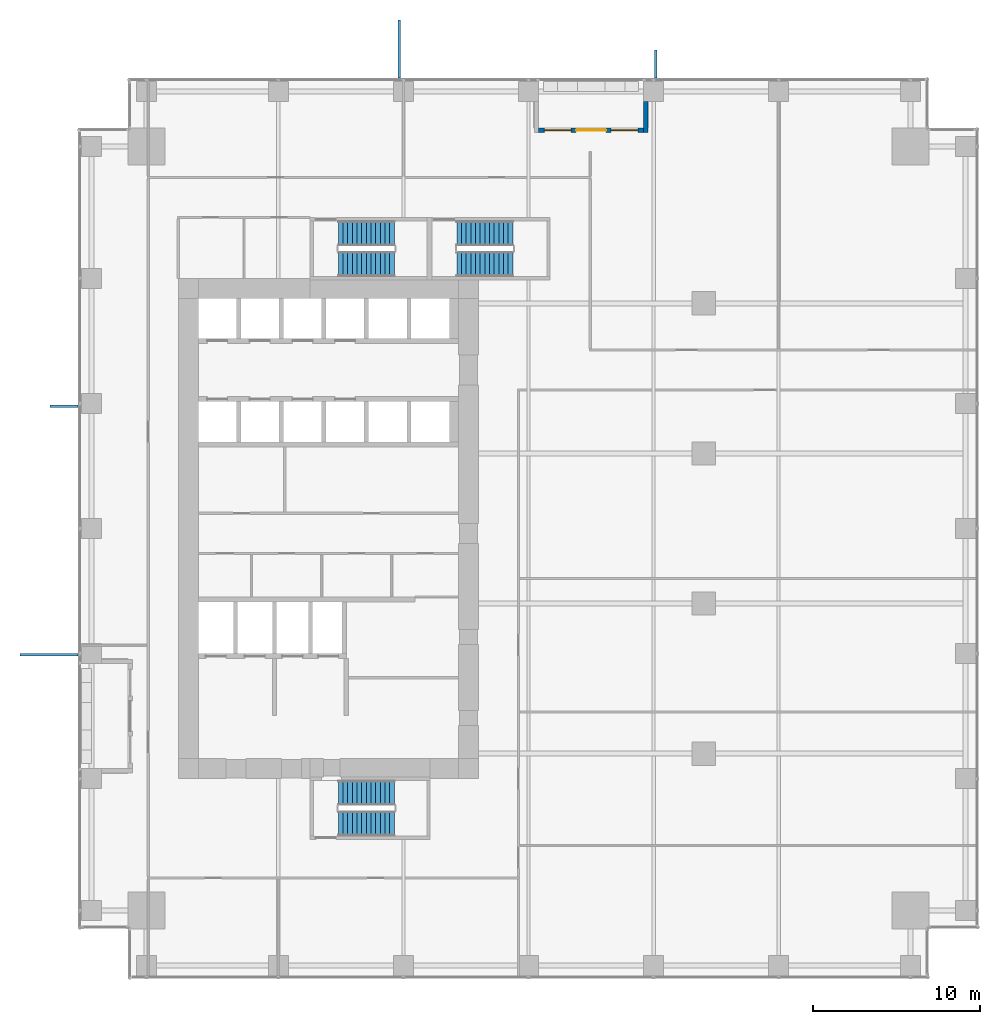
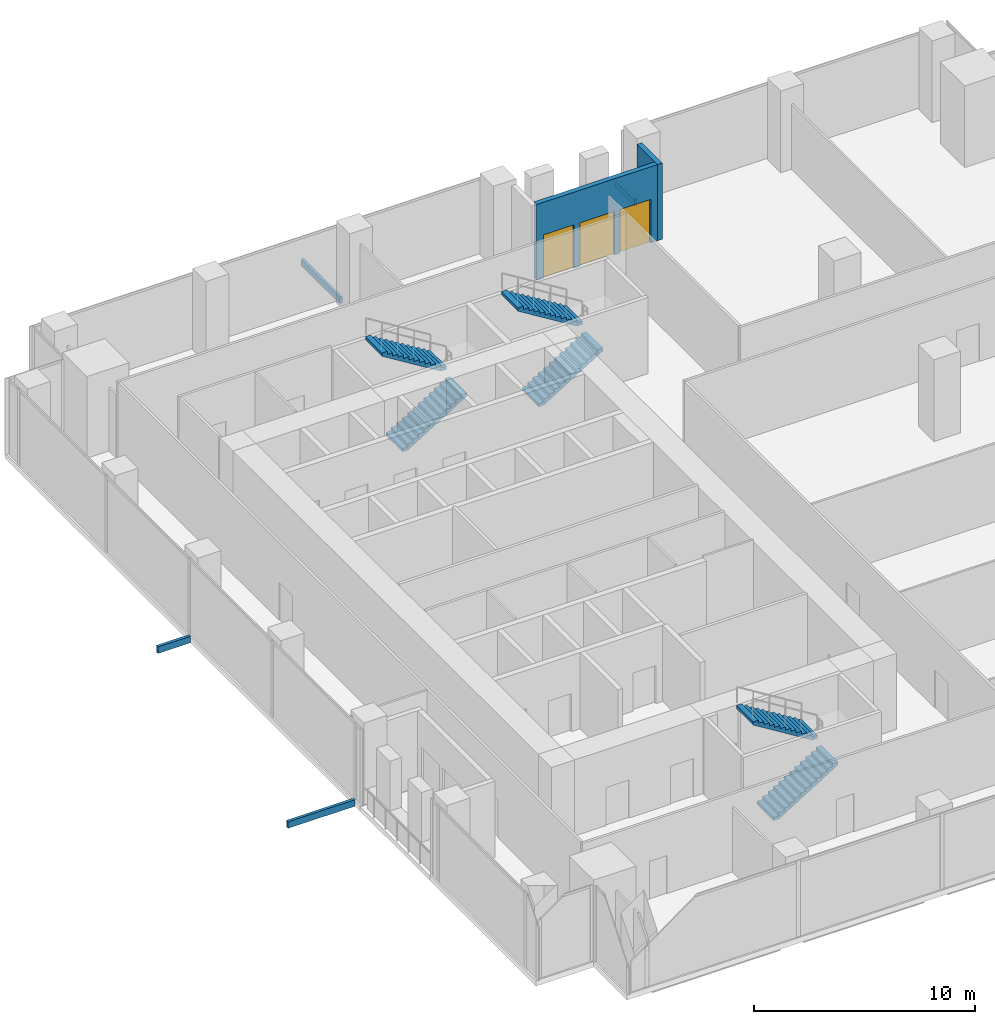
# One storey, part 30 of 33: 6 stair flights, 4 discrete accessories, 2 walls, 2 windows, 1 door, 3 openings, 3 elements without a shape of their own.
"""IFC4 building model written with IfcOpenShell, lengths in metres."""

from ifc_helpers import new_model, si_unit, direction, frame, frame_2d, origin, origin_2d, place, context, subcontext, project, spatial, polyline, rectangle, outline, extrude, source, transform, mapped, material, layer, layer_set, type_object, element, fill, aggregate, save


model = new_model("IFC4")

# Units and contexts
model_context = context("Model", 3, precision=1e-05, world=origin(), true_north=direction((0.0, 1.0)))
body_context = subcontext(model_context, "Body", "Model", "MODEL_VIEW")
ifc_project = project(units=[si_unit("LENGTHUNIT", "METRE"), si_unit("AREAUNIT", "SQUARE_METRE"), si_unit("VOLUMEUNIT", "CUBIC_METRE"), si_unit("PLANEANGLEUNIT", "RADIAN"), si_unit("MASSUNIT", "GRAM", prefix="KILO")], contexts=[model_context])

# Site, building, storey
site_placement = place(None, origin())
site = spatial("IfcSite", under=ifc_project, at=site_placement, CompositionType="ELEMENT")
building_placement = place(site_placement, origin())
building = spatial("IfcBuilding", under=site, at=building_placement, Name="Khomas Fold Tower", CompositionType="ELEMENT")
storey_placement = place(building_placement, frame((0.0, 0.0, 91.5)))
storey = spatial("IfcBuildingStorey", under=building, at=storey_placement, Name="L19", CompositionType="ELEMENT", Elevation=91.5)

# Wall, openings, windows, door
ifc_material_1 = material(Name="Natural stone", Category="masonry")
ifc_layer_1 = layer(ifc_material_1, 0.0400390625)
ifc_material_2 = material(Name="Mineral wool insulation", Category="insulation")
ifc_layer_2 = layer(ifc_material_2, 0.10009765625)
ifc_material_3 = material(Name="Masonry", Category="masonry")
ifc_layer_3 = layer(ifc_material_3, 0.110107421875)
ifc_layer_set = layer_set([ifc_layer_1, ifc_layer_2, ifc_layer_3], Name="Stone-faced insulated masonry")
wall_type = type_object("IfcWallType", Name="BL-Balcony wall", PredefinedType="SOLIDWALL", material=ifc_layer_set)
shared_shape_1 = source(origin(), body_context, "Body", "SweptSolid", [
    extrude(rectangle(XDim=6.2998046875, YDim=0.25, at=frame_2d((3.14990234375, 0.0))), origin(), (0.0, 0.0, 1.0), 4.199951171875),
])
wall_1_placement = place(storey_placement, frame((27.60009765625, 50.875, 0.0), z_axis=(0.0, 0.0, 1.0), x_axis=(1.0, 0.0, 0.0)))
wall_1 = element("IfcWall", 1, at=wall_1_placement, inside=storey, type_object=wall_type, Name="Balcony wall BAL-L19-N3", PredefinedType="SOLIDWALL", context=body_context, shape_type="MappedRepresentation", body=[
    mapped(shared_shape_1, transform((0.0, 0.0, 0.0))),
])
shared_shape_2 = source(origin(), body_context, "Body", "SweptSolid", [
    extrude(rectangle(XDim=1.60009765625, YDim=2.39990234375, at=frame_2d((0.800048828125, 1.199951171875))), frame((0.0, 0.135009765625, 0.0), z_axis=(0.0, -1.0, 0.0), x_axis=(1.0, 0.0, 0.0)), (0.0, 0.0, 1.0), 0.27001953125),
])
opening_1_placement = place(wall_1_placement, frame((0.35009765625, 0.0, 0.0)))
opening_1 = element("IfcOpeningElement", 2, at=opening_1_placement, cuts=wall_1, Name="Opening BL-W1", PredefinedType="OPENING", context=body_context, shape_type="MappedRepresentation", body=[
    mapped(shared_shape_2, transform((0.0, 0.0, 0.0))),
])
opening_2_placement = place(wall_1_placement, frame((4.35009765625, 0.0, 0.0)))
opening_2 = element("IfcOpeningElement", 3, at=opening_2_placement, cuts=wall_1, Name="Opening BL-W1", PredefinedType="OPENING", context=body_context, shape_type="MappedRepresentation", body=[
    mapped(shared_shape_2, transform((0.0, 0.0, 0.0))),
])
shared_shape_3 = source(origin(), body_context, "Body", "SweptSolid", [
    extrude(rectangle(XDim=1.800048828125, YDim=2.39990234375, at=frame_2d((0.89990234375, 1.199951171875))), frame((0.0, 0.135009765625, 0.0), z_axis=(0.0, -1.0, 0.0), x_axis=(1.0, 0.0, 0.0)), (0.0, 0.0, 1.0), 0.27001953125),
])
opening_3_placement = place(wall_1_placement, frame((2.25, 0.0, 0.0)))
opening_3 = element("IfcOpeningElement", 4, at=opening_3_placement, cuts=wall_1, Name="Opening BD192", PredefinedType="OPENING", context=body_context, shape_type="MappedRepresentation", body=[
    mapped(shared_shape_3, transform((0.0, 0.0, 0.0))),
])
ifc_material_4 = material(Name="Aluminium framed double glazing", Category="aluminium")
window_type = type_object("IfcWindowType", Name="BL-Fixed glazing 1600 x 2400", PartitioningType="SINGLE_PANEL", PredefinedType="WINDOW", material=ifc_material_4)
shared_shape_4 = source(origin(), body_context, "Body", "SweptSolid", [
    extrude(rectangle(XDim=1.60009765625, YDim=2.39990234375, at=frame_2d((0.800048828125, 1.199951171875))), frame((0.0, 0.030029296875, 0.0), z_axis=(0.0, -1.0, 0.0), x_axis=(1.0, 0.0, 0.0)), (0.0, 0.0, 1.0), 0.06005859375),
])
window_1_placement = place(opening_1_placement, origin())
window_1 = element("IfcWindow", 5, at=window_1_placement, inside=storey, type_object=window_type, Name="Balcony glazing BAL-L19-N3-1", OverallHeight=2.39990234375, OverallWidth=1.60009765625, PartitioningType="SINGLE_PANEL", PredefinedType="WINDOW", context=body_context, shape_type="MappedRepresentation", body=[
    mapped(shared_shape_4, transform((0.0, 0.0, 0.0))),
])
fill(opening_1, window_1)
window_2_placement = place(opening_2_placement, origin())
window_2 = element("IfcWindow", 6, at=window_2_placement, inside=storey, type_object=window_type, Name="Balcony glazing BAL-L19-N3-2", OverallHeight=2.39990234375, OverallWidth=1.60009765625, PartitioningType="SINGLE_PANEL", PredefinedType="WINDOW", context=body_context, shape_type="MappedRepresentation", body=[
    mapped(shared_shape_4, transform((0.0, 0.0, 0.0))),
])
fill(opening_2, window_2)
ifc_material_5 = material(Name="Aluminium framed double glazing", Category="aluminium")
door_type = type_object("IfcDoorType", Name="BL-Glazed balcony door 1800 x 2400", OperationType="DOUBLE_DOOR_DOUBLE_SWING", PredefinedType="DOOR", material=ifc_material_5)
shared_shape_5 = source(origin(), body_context, "Body", "SweptSolid", [
    extrude(rectangle(XDim=1.800048828125, YDim=2.39990234375, at=frame_2d((0.89990234375, 1.199951171875))), frame((0.0, 0.02490234375, 0.0), z_axis=(0.0, -1.0, 0.0), x_axis=(1.0, 0.0, 0.0)), (0.0, 0.0, 1.0), 0.050048828125),
])
door_placement = place(opening_3_placement, origin())
door = element("IfcDoor", 7, at=door_placement, inside=storey, type_object=door_type, Name="Balcony door BD192", OperationType="DOUBLE_DOOR_DOUBLE_SWING", OverallHeight=2.39990234375, OverallWidth=1.800048828125, PredefinedType="DOOR", context=body_context, shape_type="MappedRepresentation", body=[
    mapped(shared_shape_5, transform((0.0, 0.0, 0.0))),
])
fill(opening_3, door)

# Wall
shared_shape_6 = source(origin(), body_context, "Body", "SweptSolid", [
    extrude(rectangle(XDim=1.85009765625, YDim=0.25, at=frame_2d((0.925048828125, 0.0))), origin(), (0.0, 0.0, 1.0), 4.199951171875),
])
wall_2_placement = place(storey_placement, frame((34.02490234375, 52.60009765625, 0.0), z_axis=(0.0, 0.0, 1.0), x_axis=(0.0, -1.0, 0.0)))
element("IfcWall", 8, at=wall_2_placement, inside=storey, type_object=wall_type, Name="Balcony return wall BAL-L19-N3-hi", PredefinedType="SOLIDWALL", context=body_context, shape_type="MappedRepresentation", body=[
    mapped(shared_shape_6, transform((0.0, 0.0, 0.0))),
])

# Stair, stair flights
ifc_material_6 = material(Name="Concrete C40/50", Category="concrete")
stair_type_1 = type_object("IfcStairType", Name="Stair ST1", PredefinedType="HALF_TURN_STAIR", material=ifc_material_6)
stair_1_placement = place(storey_placement, origin())
stair_1 = element("IfcStair", 9, at=stair_1_placement, inside=storey, type_object=stair_type_1, Name="L19 ST1", PredefinedType="HALF_TURN_STAIR")
ifc_material_7 = material(Name="Concrete C40/50", Category="concrete")
stair_flight_type_1 = type_object("IfcStairFlightType", Name="Stair flight 1500 ST1", PredefinedType="STRAIGHT", material=ifc_material_7)
shared_shape_7 = source(origin(), body_context, "Body", "SweptSolid", [
    extrude(outline(polyline([(0.0, 0.0), (0.0, 0.013427734375), (0.0, 0.026611328125), (0.0, 0.0400390625), (0.0, 0.05322265625), (0.0, 0.066650390625), (0.0, 0.079833984375), (0.0, 0.09326171875), (0.0, 0.1064453125), (0.0, 0.119873046875), (0.0, 0.133056640625), (0.0, 0.146484375), (0.0, 0.15966796875), (0.0, 0.173095703125), (0.280029296875, 0.173095703125), (0.280029296875, 0.34619140625), (0.56005859375, 0.34619140625), (0.56005859375, 0.519287109375), (0.840087890625, 0.519287109375), (0.840087890625, 0.6923828125), (1.1201171875, 0.6923828125), (1.1201171875, 0.865478515625), (1.39990234375, 0.865478515625), (1.39990234375, 1.03857421875), (1.679931640625, 1.03857421875), (1.679931640625, 1.21142578125), (1.9599609375, 1.21142578125), (1.9599609375, 1.384521484375), (2.239990234375, 1.384521484375), (2.239990234375, 1.5576171875), (2.52001953125, 1.5576171875), (2.52001953125, 1.730712890625), (2.800048828125, 1.730712890625), (2.800048828125, 1.90380859375), (3.080078125, 1.90380859375), (3.080078125, 2.076904296875), (3.360107421875, 2.076904296875), (3.360107421875, 2.25), (3.360107421875, 2.22314453125), (3.360107421875, 2.1962890625), (3.360107421875, 2.16943359375), (3.360107421875, 2.142578125), (3.360107421875, 2.11572265625), (3.360107421875, 2.0888671875), (3.360107421875, 2.06201171875), (3.360107421875, 2.03515625), (3.360107421875, 2.008056640625), (3.360107421875, 1.981201171875), (3.360107421875, 1.954345703125), (3.360107421875, 1.927490234375), (3.360107421875, 1.900634765625), (0.28515625, 0.0), (0.0, 0.0)])), frame((0.0, 0.75, 0.0), z_axis=(0.0, -1.0, 0.0), x_axis=(1.0, 0.0, 0.0)), (0.0, 0.0, 1.0), 1.5),
])
stair_flight_1_placement = place(storey_placement, frame((15.60009765625, 42.85009765625, 0.0), z_axis=(0.0, 0.0, 1.0), x_axis=(1.0, 0.0, 0.0)))
stair_flight_1 = element("IfcStairFlight", 10, at=stair_flight_1_placement, type_object=stair_flight_type_1, Name="ST1 flight 1", NumberOfRisers=13, NumberOfTreads=12, PredefinedType="STRAIGHT", RiserHeight=0.173076923, TreadLength=0.28, context=body_context, shape_type="MappedRepresentation", body=[
    mapped(shared_shape_7, transform((0.0, 0.0, 0.0))),
])
stair_flight_2_placement = place(storey_placement, frame((18.9599609375, 44.699951171875, 2.25), z_axis=(0.0, 0.0, 1.0), x_axis=(-1.0, 0.0, 0.0)))
stair_flight_2 = element("IfcStairFlight", 11, at=stair_flight_2_placement, type_object=stair_flight_type_1, Name="ST1 flight 2", NumberOfRisers=13, NumberOfTreads=12, PredefinedType="STRAIGHT", RiserHeight=0.173076923, TreadLength=0.28, context=body_context, shape_type="MappedRepresentation", body=[
    mapped(shared_shape_7, transform((0.0, 0.0, 0.0))),
])
aggregate(stair_1, [stair_flight_1, stair_flight_2])

ifc_material_8 = material(Name="Concrete C40/50", Category="concrete")
stair_type_2 = type_object("IfcStairType", Name="Stair ST2", PredefinedType="HALF_TURN_STAIR", material=ifc_material_8)
stair_2_placement = place(storey_placement, origin())
stair_2 = element("IfcStair", 12, at=stair_2_placement, inside=storey, type_object=stair_type_2, Name="L19 ST2", PredefinedType="HALF_TURN_STAIR")
ifc_material_9 = material(Name="Concrete C40/50", Category="concrete")
stair_flight_type_2 = type_object("IfcStairFlightType", Name="Stair flight 1500 ST2", PredefinedType="STRAIGHT", material=ifc_material_9)
stair_flight_3_placement = place(storey_placement, frame((15.60009765625, 9.300048828125, 0.0), z_axis=(0.0, 0.0, 1.0), x_axis=(1.0, 0.0, 0.0)))
stair_flight_3 = element("IfcStairFlight", 13, at=stair_flight_3_placement, type_object=stair_flight_type_2, Name="ST2 flight 1", NumberOfRisers=13, NumberOfTreads=12, PredefinedType="STRAIGHT", RiserHeight=0.173076923, TreadLength=0.28, context=body_context, shape_type="MappedRepresentation", body=[
    mapped(shared_shape_7, transform((0.0, 0.0, 0.0))),
])
stair_flight_4_placement = place(storey_placement, frame((18.9599609375, 11.14990234375, 2.25), z_axis=(0.0, 0.0, 1.0), x_axis=(-1.0, 0.0, 0.0)))
stair_flight_4 = element("IfcStairFlight", 14, at=stair_flight_4_placement, type_object=stair_flight_type_2, Name="ST2 flight 2", NumberOfRisers=13, NumberOfTreads=12, PredefinedType="STRAIGHT", RiserHeight=0.173076923, TreadLength=0.28, context=body_context, shape_type="MappedRepresentation", body=[
    mapped(shared_shape_7, transform((0.0, 0.0, 0.0))),
])
aggregate(stair_2, [stair_flight_3, stair_flight_4])

ifc_material_10 = material(Name="Concrete C40/50", Category="concrete")
stair_type_3 = type_object("IfcStairType", Name="Stair ST3", PredefinedType="HALF_TURN_STAIR", material=ifc_material_10)
stair_3_placement = place(storey_placement, origin())
stair_3 = element("IfcStair", 15, at=stair_3_placement, inside=storey, type_object=stair_type_3, Name="L19 ST3", PredefinedType="HALF_TURN_STAIR")
ifc_material_11 = material(Name="Concrete C40/50", Category="concrete")
stair_flight_type_3 = type_object("IfcStairFlightType", Name="Stair flight 1500 ST3", PredefinedType="STRAIGHT", material=ifc_material_11)
stair_flight_5_placement = place(storey_placement, frame((22.699951171875, 42.85009765625, 0.0), z_axis=(0.0, 0.0, 1.0), x_axis=(1.0, 0.0, 0.0)))
stair_flight_5 = element("IfcStairFlight", 16, at=stair_flight_5_placement, type_object=stair_flight_type_3, Name="ST3 flight 1", NumberOfRisers=13, NumberOfTreads=12, PredefinedType="STRAIGHT", RiserHeight=0.173076923, TreadLength=0.28, context=body_context, shape_type="MappedRepresentation", body=[
    mapped(shared_shape_7, transform((0.0, 0.0, 0.0))),
])
stair_flight_6_placement = place(storey_placement, frame((26.06005859375, 44.699951171875, 2.25), z_axis=(0.0, 0.0, 1.0), x_axis=(-1.0, 0.0, 0.0)))
stair_flight_6 = element("IfcStairFlight", 17, at=stair_flight_6_placement, type_object=stair_flight_type_3, Name="ST3 flight 2", NumberOfRisers=13, NumberOfTreads=12, PredefinedType="STRAIGHT", RiserHeight=0.173076923, TreadLength=0.28, context=body_context, shape_type="MappedRepresentation", body=[
    mapped(shared_shape_7, transform((0.0, 0.0, 0.0))),
])
aggregate(stair_3, [stair_flight_5, stair_flight_6])

# Discrete accessories
ifc_material_12 = material(Name="Stainless steel", Category="steel")
discrete_accessory_type = type_object("IfcDiscreteAccessoryType", Name="SK-Stainless steel stone bracket", PredefinedType="BRACKET", material=ifc_material_12)
shared_shape_8 = source(origin(), body_context, "Body", "SweptSolid", [
    extrude(rectangle(XDim=3.48828125, YDim=0.14990234375, at=origin_2d()), origin(), (0.0, 0.0, 1.0), 0.360107421875),
])
for number, where, z_axis, x_axis, name in (
    (18, (19.25537109375, 55.744140625, -0.30029296875), (0.0, 0.0, 1.0), (0.0, 1.0, 0.0), "Stone bracket L19 NS05-1-2"),
    (19, (-1.744140625, 19.4443359375, -0.30029296875), (0.0, 0.0, 1.0), (-1.0, 0.0, 0.0), "Stone bracket L19 WS05-1-2"),
):
    element("IfcDiscreteAccessory", number, at=place(storey_placement, frame(where, z_axis=z_axis, x_axis=x_axis)), inside=storey, type_object=discrete_accessory_type, Name=name, PredefinedType="BRACKET", context=body_context, shape_type="MappedRepresentation", body=[
        mapped(shared_shape_8, transform((0.0, 0.0, 0.0))),
    ])
shared_shape_9 = source(origin(), body_context, "Body", "SweptSolid", [
    extrude(rectangle(XDim=1.694091796875, YDim=0.14990234375, at=origin_2d()), origin(), (0.0, 0.0, 1.0), 0.360107421875),
])
for number, where, z_axis, x_axis, name in (
    (20, (34.64208984375, 54.846923828125, -0.30029296875), (0.0, 0.0, 1.0), (0.0, 1.0, 0.0), "Stone bracket L19 NS08-2-2"),
    (21, (-0.846923828125, 34.316162109375, -0.30029296875), (0.0, 0.0, 1.0), (-1.0, 0.0, 0.0), "Stone bracket L19 WS08-2-2"),
):
    element("IfcDiscreteAccessory", number, at=place(storey_placement, frame(where, z_axis=z_axis, x_axis=x_axis)), inside=storey, type_object=discrete_accessory_type, Name=name, PredefinedType="BRACKET", context=body_context, shape_type="MappedRepresentation", body=[
        mapped(shared_shape_9, transform((0.0, 0.0, 0.0))),
    ])

save(model, "model.ifc")
